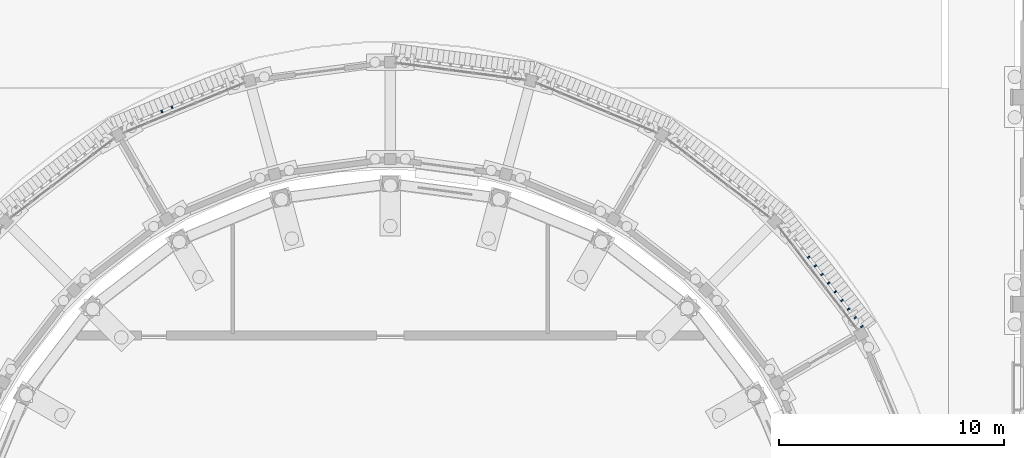
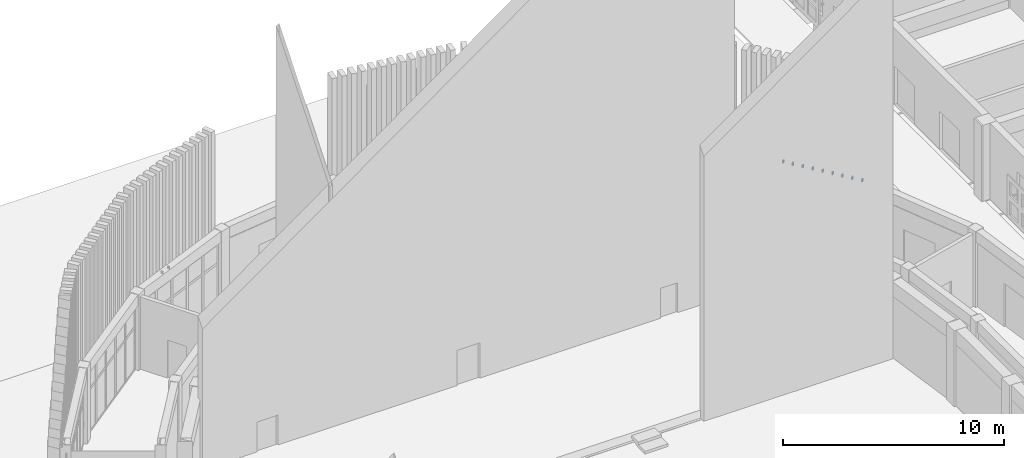
# One storey, part 87 of 112: 11 discrete accessories.
"""IFC4 building model written with IfcOpenShell, lengths in metres."""

from ifc_helpers import new_model, si_unit, direction, frame, origin, origin_2d, place, context, subcontext, project, spatial, rectangle, extrude, material, type_object, element, save


model = new_model("IFC4")

# Units and contexts
model_context = context("Model", 3, precision=1e-05, world=origin(), true_north=direction((0.0, 1.0)))
body_context = subcontext(model_context, "Body", "Model", "MODEL_VIEW")
ifc_project = project(units=[si_unit("LENGTHUNIT", "METRE"), si_unit("AREAUNIT", "SQUARE_METRE"), si_unit("VOLUMEUNIT", "CUBIC_METRE"), si_unit("PLANEANGLEUNIT", "RADIAN"), si_unit("MASSUNIT", "GRAM", prefix="KILO")], contexts=[model_context])

# Site, building, storey
site_placement = place(None, origin())
site = spatial("IfcSite", under=ifc_project, at=site_placement, CompositionType="ELEMENT")
building_placement = place(site_placement, origin())
building = spatial("IfcBuilding", under=site, at=building_placement, Name="Wasatch Bagh Community Centre", CompositionType="ELEMENT")
storey_placement = place(building_placement, origin())
storey = spatial("IfcBuildingStorey", under=building, at=storey_placement, Name="L00", CompositionType="ELEMENT", Elevation=0.0)

# Discrete accessories
ifc_material = material(Name="ASTM A36 steel", Category="steel")
discrete_accessory_type = type_object("IfcDiscreteAccessoryType", Name="Drum fin bracket", PredefinedType="BRACKET", material=ifc_material)
for number, where, z_axis, x_axis, name in (
    (1, (56.953369140625, 77.410400390625, 3.824951171875), (0.0, 0.0, 1.0), (-0.608761429009, 0.793353340291, 0.0), "Fin bracket 21.1.1"),
    (2, (56.658203125, 77.795166015625, 3.824951171875), (0.0, 0.0, 1.0), (-0.608761429009, 0.793353340291, 0.0), "Fin bracket 21.2.1"),
    (3, (56.36279296875, 78.179931640625, 3.824951171875), (0.0, 0.0, 1.0), (-0.608761429009, 0.793353340291, 0.0), "Fin bracket 21.3.1"),
    (4, (56.067626953125, 78.564697265625, 3.824951171875), (0.0, 0.0, 1.0), (-0.608761429009, 0.793353340291, 0.0), "Fin bracket 21.4.1"),
    (5, (55.7724609375, 78.949462890625, 3.824951171875), (0.0, 0.0, 1.0), (-0.608761429009, 0.793353340291, 0.0), "Fin bracket 21.5.1"),
    (6, (55.477294921875, 79.334228515625, 3.824951171875), (0.0, 0.0, 1.0), (-0.608761429009, 0.793353340291, 0.0), "Fin bracket 21.6.1"),
    (7, (55.18212890625, 79.718994140625, 3.824951171875), (0.0, 0.0, 1.0), (-0.608761429009, 0.793353340291, 0.0), "Fin bracket 21.7.1"),
    (8, (54.88671875, 80.103515625, 3.824951171875), (0.0, 0.0, 1.0), (-0.608761429009, 0.793353340291, 0.0), "Fin bracket 21.8.1"),
    (9, (54.591552734375, 80.48828125, 3.824951171875), (0.0, 0.0, 1.0), (-0.608761429009, 0.793353340291, 0.0), "Fin bracket 21.9.1"),
    (10, (26.29931640625, 87.15234375, 3.824951171875), (0.0, 0.0, 1.0), (-0.923879532511, -0.382683432365, 0.0), "Fin bracket 26.8.1"),
    (11, (25.851318359375, 86.966796875, 3.824951171875), (0.0, 0.0, 1.0), (-0.923879532511, -0.382683432365, 0.0), "Fin bracket 26.9.1"),
):
    element("IfcDiscreteAccessory", number, at=place(storey_placement, frame(where, z_axis=z_axis, x_axis=x_axis)), inside=storey, type_object=discrete_accessory_type, Name=name, PredefinedType="BRACKET", context=body_context, shape_type="SweptSolid", body=[
        extrude(rectangle(XDim=0.070068359375, YDim=0.1201171875, at=origin_2d()), origin(), (0.0, 0.0, 1.0), 0.14990234375),
    ])

save(model, "model.ifc")
